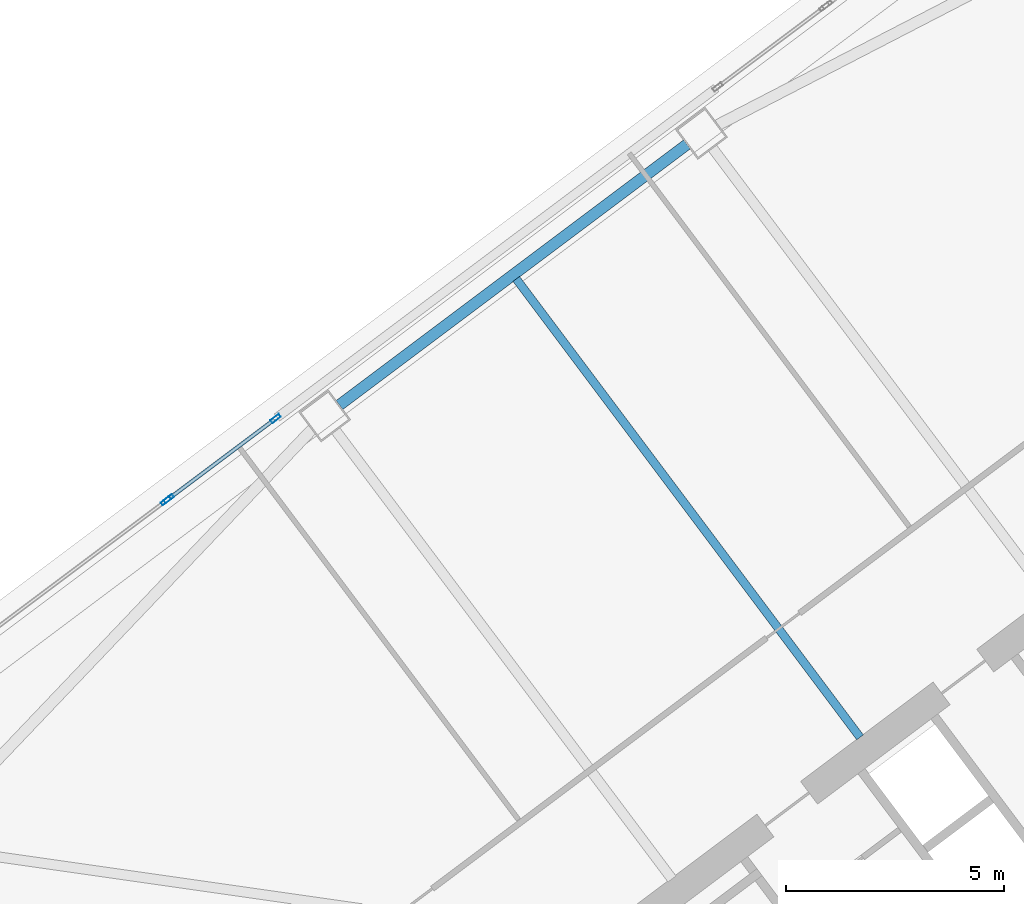
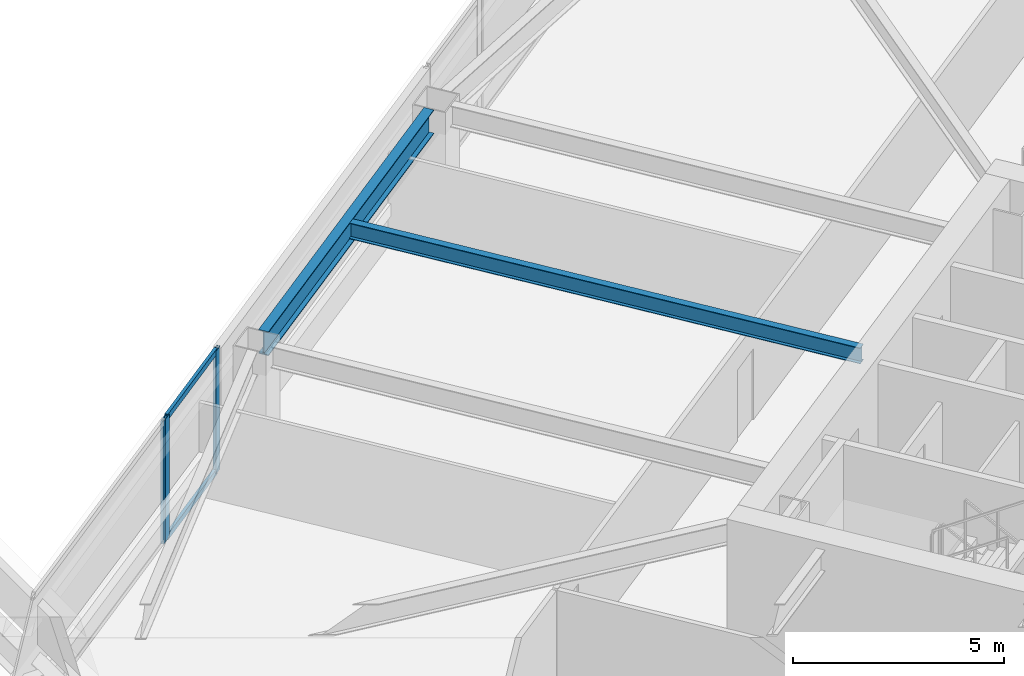
# One storey, part 33 of 62: 5 members, 2 beams, 2 elements without a shape of their own.
"""IFC4 building model written with IfcOpenShell, lengths in metres."""

import ifcopenshell
import ifcopenshell.guid

model = None  # the IFC model being written
_history = None  # IfcOwnerHistory: only IFC2X3 demands one
_inside = {}  # id of a spatial element -> (the spatial element, [elements in it])
_under = {}  # id of a project, library or spatial element -> (it, [spatial elements below it])
_declared = {}  # id of a project -> (the project, [libraries it declares])
_typed = {}  # id of a type object -> (the type object, [elements of that type])
_made_of = {}  # id of a material, layer set ... -> (it, [elements and type objects made of it])


def new_model(schema):
    """Start an empty IFC model of exactly this schema.

    Asked for "IFC4X3", IfcOpenShell would pick the latest addendum, in which some entities
    have other attributes; the version numbers below select the first issue.
    IFC2X3 requires an IfcOwnerHistory on every rooted entity: one is made here for all.
    """
    global model, _history
    if schema == "IFC4X3":
        model = ifcopenshell.file(schema_version=(4, 3, 0, 0))
    else:
        model = ifcopenshell.file(schema=schema)
    _inside.clear()
    _under.clear()
    _declared.clear()
    _typed.clear()
    _made_of.clear()
    _history = None
    if model.schema == "IFC2X3":
        org = make("IfcOrganization", Name="unknown")
        user = make(
            "IfcPersonAndOrganization",
            ThePerson=make("IfcPerson", FamilyName="unknown"),
            TheOrganization=org,
        )
        app = make(
            "IfcApplication",
            ApplicationDeveloper=org,
            Version="unknown",
            ApplicationFullName="unknown",
            ApplicationIdentifier="unknown",
        )
        _history = make(
            "IfcOwnerHistory",
            OwningUser=user,
            OwningApplication=app,
            ChangeAction="ADDED",
            CreationDate=0,
        )
    return model


def make(cls, **values):
    """One entity of the class cls with the attributes given. An attribute that is None is left unset."""
    return model.create_entity(
        cls, **{name: value for name, value in values.items() if value is not None}
    )


def rooted(cls, **values):
    """An entity with a GlobalId (a new one), such as an element, a storey or a relation."""
    return make(cls, GlobalId=ifcopenshell.guid.new(), OwnerHistory=_history, **values)


def si_unit(unit_type, name, prefix=None):
    """IfcSIUnit, for example si_unit("LENGTHUNIT", "METRE", prefix="MILLI")."""
    return make("IfcSIUnit", UnitType=unit_type, Prefix=prefix, Name=name)


def assignment(units):
    """IfcUnitAssignment: the units of a project."""
    return None if units is None else make("IfcUnitAssignment", Units=units)


def point(xyz):
    """IfcCartesianPoint."""
    return None if xyz is None else make("IfcCartesianPoint", Coordinates=xyz)


def direction(xyz):
    """IfcDirection."""
    return None if xyz is None else make("IfcDirection", DirectionRatios=xyz)


def frame(location, z_axis=None, x_axis=None):
    """IfcAxis2Placement3D, a coordinate frame: its origin and axes. An axis left out is left unset."""
    return make(
        "IfcAxis2Placement3D",
        Location=point(location),
        Axis=direction(z_axis),
        RefDirection=direction(x_axis),
    )


def frame_2d(location, x_axis=None):
    """IfcAxis2Placement2D, a coordinate frame in the plane: its origin and x axis."""
    return make(
        "IfcAxis2Placement2D", Location=point(location), RefDirection=direction(x_axis)
    )


def origin():
    """The frame at (0, 0, 0) with its axes left unset."""
    return frame((0.0, 0.0, 0.0))


def origin_2d():
    """The frame at (0, 0) in the plane with its x axis left unset."""
    return frame_2d((0.0, 0.0))


def place(relative_to, where):
    """IfcLocalPlacement: puts the frame where relative to a parent placement (None: the world)."""
    return make(
        "IfcLocalPlacement", PlacementRelTo=relative_to, RelativePlacement=where
    )


def context(
    kind, dimensions, precision=None, world=None, true_north=None, identifier=None
):
    """IfcGeometricRepresentationContext, for example the 3D "Model" context."""
    return make(
        "IfcGeometricRepresentationContext",
        ContextIdentifier=identifier,
        ContextType=kind,
        CoordinateSpaceDimension=dimensions,
        Precision=precision,
        WorldCoordinateSystem=world,
        TrueNorth=true_north,
    )


def subcontext(parent, identifier, kind, view, scale=None):
    """IfcGeometricRepresentationSubContext, for example "Body" below "Model"."""
    return make(
        "IfcGeometricRepresentationSubContext",
        ContextIdentifier=identifier,
        ContextType=kind,
        ParentContext=parent,
        TargetScale=scale,
        TargetView=view,
    )


def project(units=None, contexts=None):
    """IfcProject with its units and contexts."""
    return rooted(
        "IfcProject",
        Name="project",
        RepresentationContexts=contexts,
        UnitsInContext=assignment(units),
    )


def spatial(cls, under=None, at=None, **own):
    """A site, building, storey or space (cls), placed at a placement, below another one or the project."""
    s = rooted(cls, ObjectPlacement=at, **own)
    if under is not None:
        _under.setdefault(under.id(), (under, []))[1].append(s)
    return s


def profile(cls, at=None, kind="AREA", **sizes):
    """A parametric profile (cls). Its sizes go by their IFC names, for example OverallWidth=200.0."""
    return make(cls, ProfileType=kind, Position=at, **sizes)


def hollow_rectangle(**sizes):
    """IfcRectangleHollowProfileDef."""
    return profile("IfcRectangleHollowProfileDef", **sizes)


def i_section(**sizes):
    """IfcIShapeProfileDef."""
    return profile("IfcIShapeProfileDef", **sizes)


def extrude(swept, where, along, depth):
    """IfcExtrudedAreaSolid: the profile swept, set in the frame where, extruded along a direction by depth."""
    return make(
        "IfcExtrudedAreaSolid",
        SweptArea=swept,
        Position=where,
        ExtrudedDirection=direction(along),
        Depth=depth,
    )


def shape(context_of_items, identifier, shape_type, items):
    """IfcShapeRepresentation: the items that make up one representation, for example the "Body"."""
    return make(
        "IfcShapeRepresentation",
        ContextOfItems=context_of_items,
        RepresentationIdentifier=identifier,
        RepresentationType=shape_type,
        Items=items,
    )


def material(Name=None, Category=None):
    """IfcMaterial."""
    return make("IfcMaterial", Name=Name, Category=Category)


def material_profile(
    of_material, cross_section, Name=None, Category=None, Priority=None
):
    """IfcMaterialProfile: a cross section and its material."""
    return make(
        "IfcMaterialProfile",
        Name=Name,
        Material=of_material,
        Profile=cross_section,
        Priority=Priority,
        Category=Category,
    )


def profile_set(profiles, Name=None, composite=None):
    """IfcMaterialProfileSet."""
    return make(
        "IfcMaterialProfileSet",
        Name=Name,
        MaterialProfiles=profiles,
        CompositeProfile=composite,
    )


def made_of(thing, what):
    """Note that an element or type object is made of a material, layer set ...; save() writes the relation."""
    if what is not None:
        _made_of.setdefault(what.id(), (what, []))[1].append(thing)
    return thing


def type_object(cls, material=None, **own):
    """A type object (cls), such as IfcWallType, which elements share."""
    return made_of(rooted(cls, **own), material)


def element(
    cls,
    number,
    at=None,
    inside=None,
    cuts=None,
    type_object=None,
    material=None,
    context=None,
    identifier="Body",
    shape_type=None,
    held_by="IfcProductDefinitionShape",
    body=None,
    shapes=None,
    **own,
):
    """One element of the class cls, such as IfcWall. Its Tag is "e" and its number.

    at: its placement. inside: the storey or other place that contains it. cuts: it is an
    opening in that element (IfcRelVoidsElement). A single representation is given by context,
    identifier, shape_type and body (its items); several are given by shapes. held_by: the class
    of the entity that holds the representations. save() writes the other relations.
    """
    e = rooted(cls, Tag="e%d" % number, ObjectPlacement=at, **own)
    if body is not None:
        shapes = [shape(context, identifier, shape_type, body)]
    if shapes is not None:
        e.Representation = make(held_by, Representations=shapes)
    if inside is not None:
        _inside.setdefault(inside.id(), (inside, []))[1].append(e)
    if cuts is not None:
        rooted(
            "IfcRelVoidsElement", RelatingBuildingElement=cuts, RelatedOpeningElement=e
        )
    if type_object is not None:
        _typed.setdefault(type_object.id(), (type_object, []))[1].append(e)
    return made_of(e, material)


def aggregate(whole, parts):
    """IfcRelAggregates: a whole, such as a stair, and the parts it consists of."""
    return rooted("IfcRelAggregates", RelatingObject=whole, RelatedObjects=parts)


def save(model, path):
    """Write the relations noted so far, then the file.

    IfcRelAggregates (storeys below a building ...), IfcRelContainedInSpatialStructure (elements
    in a storey), IfcRelDefinesByType, IfcRelAssociatesMaterial and IfcRelDeclares: one each for
    every whole, place, type object, material and project.
    """
    for whole, parts in _under.values():
        aggregate(whole, parts)
    for where, things in _inside.values():
        rooted(
            "IfcRelContainedInSpatialStructure",
            RelatedElements=things,
            RelatingStructure=where,
        )
    for kind, things in _typed.values():
        rooted("IfcRelDefinesByType", RelatedObjects=things, RelatingType=kind)
    for what, things in _made_of.values():
        rooted("IfcRelAssociatesMaterial", RelatedObjects=things, RelatingMaterial=what)
    for by, libraries in _declared.values():
        rooted("IfcRelDeclares", RelatingContext=by, RelatedDefinitions=libraries)
    model.write(path)


model = new_model("IFC4")

# Units and contexts
model_context = context("Model", 3, precision=1e-05, world=origin(), true_north=direction((0.0, 1.0)))
body_context = subcontext(model_context, "Body", "Model", "MODEL_VIEW")
ifc_project = project(units=[si_unit("LENGTHUNIT", "METRE"), si_unit("AREAUNIT", "SQUARE_METRE"), si_unit("VOLUMEUNIT", "CUBIC_METRE"), si_unit("PLANEANGLEUNIT", "RADIAN"), si_unit("MASSUNIT", "GRAM", prefix="KILO")], contexts=[model_context])

# Site, building, storey
site_placement = place(None, origin())
site = spatial("IfcSite", under=ifc_project, at=site_placement, CompositionType="ELEMENT")
building_placement = place(site_placement, origin())
building = spatial("IfcBuilding", under=site, at=building_placement, Name="Tashvorn Skyway Center", CompositionType="ELEMENT")
storey_placement = place(building_placement, frame((0.0, 0.0, 28.14990234375)))
storey = spatial("IfcBuildingStorey", under=building, at=storey_placement, Name="L06", CompositionType="ELEMENT", Elevation=28.14990234375)

# Beams
ifc_material_1 = material(Name="Steel ASTM A992 Grade 50", Category="steel")
ifc_material_profile_1 = material_profile(ifc_material_1, i_section(OverallWidth=0.19091796875, OverallDepth=0.4599609375, WebThickness=0.010009765625, FlangeThickness=0.01611328125, at=origin_2d()), Name="W18X55")
ifc_profile_set_1 = profile_set([ifc_material_profile_1], Name="Steel ASTM A992 Grade 50")
beam_type_1 = type_object("IfcBeamType", Name="BM-JOIST-W18X55", PredefinedType="JOIST", material=ifc_profile_set_1)
beam_1_placement = place(storey_placement, frame((109.325927734375, 38.23193359375, 3.1201171875), z_axis=(-0.600002972791, 0.799997770398, 0.0), x_axis=(-0.799997770398, -0.600002972791, 0.0)))
element("IfcBeam", 1, at=beam_1_placement, inside=storey, type_object=beam_type_1, Name="Tower 2 L06 Secondary Composite Joist JN", PredefinedType="JOIST", context=body_context, shape_type="SweptSolid", body=[
    extrude(i_section(OverallWidth=0.19091796875, OverallDepth=0.4599609375, WebThickness=0.010009765625, FlangeThickness=0.01611328125, at=origin_2d()), origin(), (0.0, 0.0, 1.0), 13.139892578125),
])
ifc_material_profile_2 = material_profile(ifc_material_1, i_section(OverallWidth=0.256103515625, OverallDepth=0.693115234375, WebThickness=0.014404296875, FlangeThickness=0.023681640625, at=origin_2d()), Name="W27X114")
ifc_profile_set_2 = profile_set([ifc_material_profile_2], Name="Steel ASTM A992 Grade 50")
beam_type_2 = type_object("IfcBeamType", Name="BM-SPANDREL-W27X114", PredefinedType="SPANDREL", material=ifc_profile_set_2)
beam_2_placement = place(storey_placement, frame((105.35400390625, 51.827880859375, 3.003662109375), z_axis=(-0.800008824351, -0.599988234018, 0.0), x_axis=(0.599988234018, -0.800008824351, 0.0)))
element("IfcBeam", 2, at=beam_2_placement, inside=storey, type_object=beam_type_2, Name="Tower 2 L06 Spandrel Beam 08", PredefinedType="SPANDREL", context=body_context, shape_type="SweptSolid", body=[
    extrude(i_section(OverallWidth=0.256103515625, OverallDepth=0.693115234375, WebThickness=0.014404296875, FlangeThickness=0.023681640625, at=origin_2d()), origin(), (0.0, 0.0, 1.0), 9.9599609375),
])

# Curtain wall, member
ifc_material_2 = material(Name="Thermally broken bronze-anodized aluminium 6063-T6", Category="aluminium")
curtain_wall_type = type_object("IfcCurtainWallType", Name="CW-CW-Z1", PredefinedType="NOTDEFINED", material=ifc_material_2)
curtain_wall_1_placement = place(storey_placement, origin())
curtain_wall_1 = element("IfcCurtainWall", 3, at=curtain_wall_1_placement, inside=storey, type_object=curtain_wall_type, Name="Tower 2 L06 North Unitised Curtain Wall Glazing Group 1", PredefinedType="NOTDEFINED")
ifc_material_profile_3 = material_profile(ifc_material_2, hollow_rectangle(XDim=0.0849609375, YDim=0.239990234375, WallThickness=0.0048828125, at=origin_2d()), Name="ALU-MULL-85x240")
ifc_profile_set_3 = profile_set([ifc_material_profile_3], Name="Thermally broken bronze-anodized aluminium 6063-T6")
member_type_1 = type_object("IfcMemberType", Name="CWM-CW-Z1", PredefinedType="MULLION", material=ifc_profile_set_3)
member_1_placement = place(storey_placement, frame((93.406005859375, 43.654541015625, 0.0), z_axis=(0.0, 0.0, 1.0), x_axis=(-0.600000000002, 0.799999999998, 0.0)))
member_1 = element("IfcMember", 4, at=member_1_placement, type_object=member_type_1, Name="CW-Z1 mullion 2", PredefinedType="MULLION", context=body_context, shape_type="SweptSolid", body=[
    extrude(hollow_rectangle(XDim=0.0849609375, YDim=0.239990234375, WallThickness=0.0048828125, at=origin_2d()), origin(), (0.0, 0.0, 1.0), 3.550048828125),
])
aggregate(curtain_wall_1, [member_1])

# Curtain wall, members
curtain_wall_2_placement = place(storey_placement, origin())
curtain_wall_2 = element("IfcCurtainWall", 5, at=curtain_wall_2_placement, inside=storey, type_object=curtain_wall_type, Name="Tower 2 L06 North Unitised Curtain Wall Glazing Group 2", PredefinedType="NOTDEFINED")
member_2_placement = place(storey_placement, frame((93.47412109375, 43.70556640625, 0.0), z_axis=(0.0, 0.0, 1.0), x_axis=(-0.600005084776, 0.799996186392, 0.0)))
member_2 = element("IfcMember", 6, at=member_2_placement, type_object=member_type_1, Name="CW-Z1 mullion 1", PredefinedType="MULLION", context=body_context, shape_type="SweptSolid", body=[
    extrude(hollow_rectangle(XDim=0.0849609375, YDim=0.239990234375, WallThickness=0.0048828125, at=origin_2d()), origin(), (0.0, 0.0, 1.0), 3.550048828125),
])
member_3_placement = place(storey_placement, frame((95.92333984375, 45.54248046875, 0.0), z_axis=(0.0, 0.0, 1.0), x_axis=(-0.600005084776, 0.799996186392, 0.0)))
member_3 = element("IfcMember", 7, at=member_3_placement, type_object=member_type_1, Name="CW-Z1 mullion 2", PredefinedType="MULLION", context=body_context, shape_type="SweptSolid", body=[
    extrude(hollow_rectangle(XDim=0.0849609375, YDim=0.239990234375, WallThickness=0.0048828125, at=origin_2d()), origin(), (0.0, 0.0, 1.0), 3.550048828125),
])
ifc_material_profile_4 = material_profile(ifc_material_2, hollow_rectangle(XDim=0.0849609375, YDim=0.1650390625, WallThickness=0.0048828125, at=origin_2d()), Name="ALU-TRAN-85x165")
ifc_profile_set_4 = profile_set([ifc_material_profile_4], Name="Thermally broken bronze-anodized aluminium 6063-T6")
member_type_2 = type_object("IfcMemberType", Name="CWT-CW-Z1", PredefinedType="USERDEFINED", material=ifc_profile_set_4)
member_4_placement = place(storey_placement, frame((93.508056640625, 43.73095703125, 0.04248046875), z_axis=(0.799980315822, 0.600026244674, 0.0), x_axis=(-0.600026244674, 0.799980315822, 0.0)))
member_4 = element("IfcMember", 8, at=member_4_placement, type_object=member_type_2, Name="CW-Z1 transom 1.1", ObjectType="TRANSOM", PredefinedType="USERDEFINED", context=body_context, shape_type="SweptSolid", body=[
    extrude(hollow_rectangle(XDim=0.0849609375, YDim=0.1650390625, WallThickness=0.0048828125, at=origin_2d()), origin(), (0.0, 0.0, 1.0), 2.976806640625),
])
member_5_placement = place(storey_placement, frame((93.508056640625, 43.73095703125, 3.507568359375), z_axis=(0.799980315822, 0.600026244674, 0.0), x_axis=(-0.600026244674, 0.799980315822, 0.0)))
member_5 = element("IfcMember", 9, at=member_5_placement, type_object=member_type_2, Name="CW-Z1 transom 1.2", ObjectType="TRANSOM", PredefinedType="USERDEFINED", context=body_context, shape_type="SweptSolid", body=[
    extrude(hollow_rectangle(XDim=0.0849609375, YDim=0.1650390625, WallThickness=0.0048828125, at=origin_2d()), origin(), (0.0, 0.0, 1.0), 2.976806640625),
])
aggregate(curtain_wall_2, [member_2, member_3, member_4, member_5])

save(model, "model.ifc")
